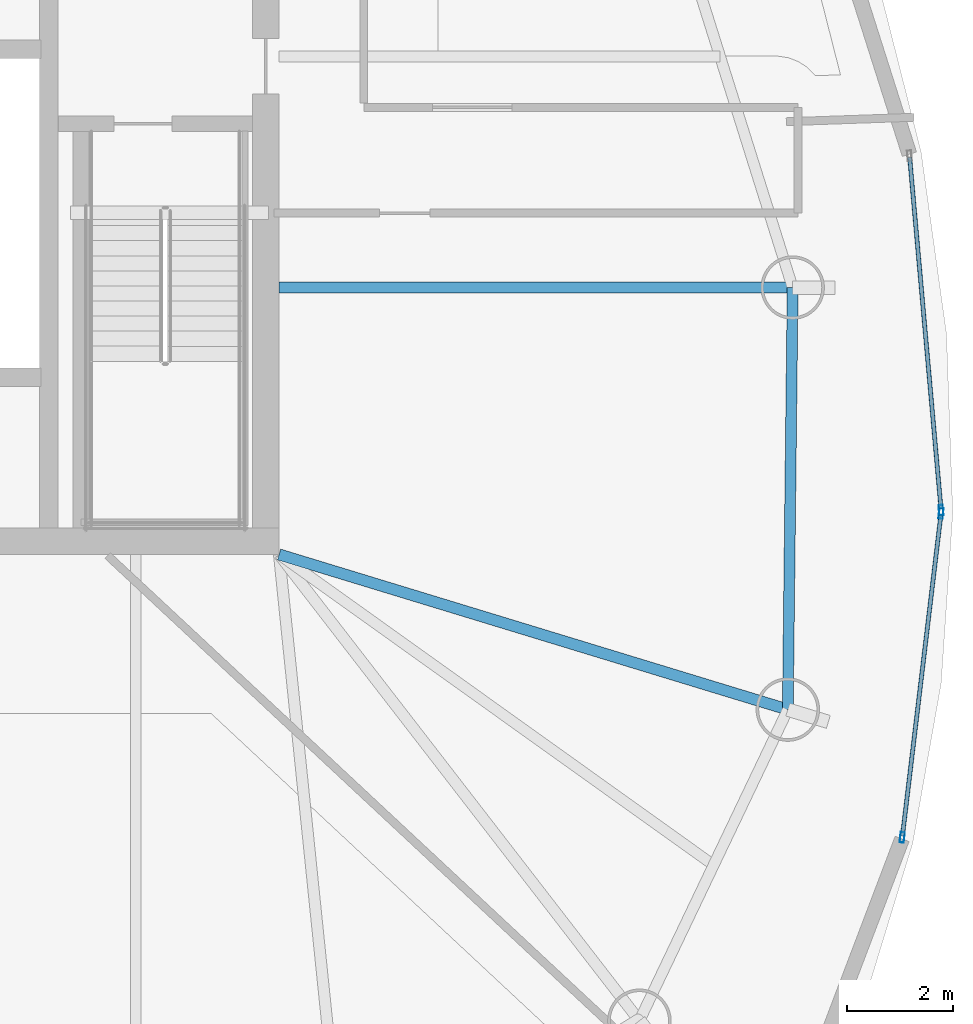
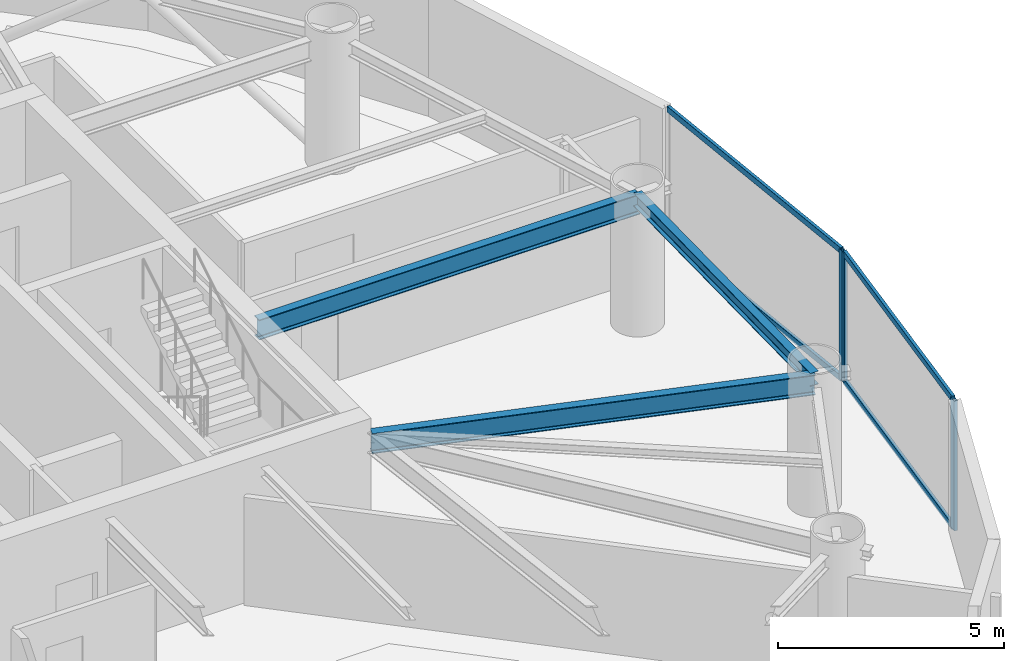
# One storey, part 6 of 18: 7 members, 3 beams, 2 elements without a shape of their own.
"""IFC4 building model written with IfcOpenShell, lengths in metres."""

import ifcopenshell
import ifcopenshell.guid

model = None  # the IFC model being written
_history = None  # IfcOwnerHistory: only IFC2X3 demands one
_inside = {}  # id of a spatial element -> (the spatial element, [elements in it])
_under = {}  # id of a project, library or spatial element -> (it, [spatial elements below it])
_declared = {}  # id of a project -> (the project, [libraries it declares])
_typed = {}  # id of a type object -> (the type object, [elements of that type])
_made_of = {}  # id of a material, layer set ... -> (it, [elements and type objects made of it])


def new_model(schema):
    """Start an empty IFC model of exactly this schema.

    Asked for "IFC4X3", IfcOpenShell would pick the latest addendum, in which some entities
    have other attributes; the version numbers below select the first issue.
    IFC2X3 requires an IfcOwnerHistory on every rooted entity: one is made here for all.
    """
    global model, _history
    if schema == "IFC4X3":
        model = ifcopenshell.file(schema_version=(4, 3, 0, 0))
    else:
        model = ifcopenshell.file(schema=schema)
    _inside.clear()
    _under.clear()
    _declared.clear()
    _typed.clear()
    _made_of.clear()
    _history = None
    if model.schema == "IFC2X3":
        org = make("IfcOrganization", Name="unknown")
        user = make(
            "IfcPersonAndOrganization",
            ThePerson=make("IfcPerson", FamilyName="unknown"),
            TheOrganization=org,
        )
        app = make(
            "IfcApplication",
            ApplicationDeveloper=org,
            Version="unknown",
            ApplicationFullName="unknown",
            ApplicationIdentifier="unknown",
        )
        _history = make(
            "IfcOwnerHistory",
            OwningUser=user,
            OwningApplication=app,
            ChangeAction="ADDED",
            CreationDate=0,
        )
    return model


def make(cls, **values):
    """One entity of the class cls with the attributes given. An attribute that is None is left unset."""
    return model.create_entity(
        cls, **{name: value for name, value in values.items() if value is not None}
    )


def rooted(cls, **values):
    """An entity with a GlobalId (a new one), such as an element, a storey or a relation."""
    return make(cls, GlobalId=ifcopenshell.guid.new(), OwnerHistory=_history, **values)


def si_unit(unit_type, name, prefix=None):
    """IfcSIUnit, for example si_unit("LENGTHUNIT", "METRE", prefix="MILLI")."""
    return make("IfcSIUnit", UnitType=unit_type, Prefix=prefix, Name=name)


def assignment(units):
    """IfcUnitAssignment: the units of a project."""
    return None if units is None else make("IfcUnitAssignment", Units=units)


def point(xyz):
    """IfcCartesianPoint."""
    return None if xyz is None else make("IfcCartesianPoint", Coordinates=xyz)


def direction(xyz):
    """IfcDirection."""
    return None if xyz is None else make("IfcDirection", DirectionRatios=xyz)


def frame(location, z_axis=None, x_axis=None):
    """IfcAxis2Placement3D, a coordinate frame: its origin and axes. An axis left out is left unset."""
    return make(
        "IfcAxis2Placement3D",
        Location=point(location),
        Axis=direction(z_axis),
        RefDirection=direction(x_axis),
    )


def frame_2d(location, x_axis=None):
    """IfcAxis2Placement2D, a coordinate frame in the plane: its origin and x axis."""
    return make(
        "IfcAxis2Placement2D", Location=point(location), RefDirection=direction(x_axis)
    )


def origin():
    """The frame at (0, 0, 0) with its axes left unset."""
    return frame((0.0, 0.0, 0.0))


def origin_2d():
    """The frame at (0, 0) in the plane with its x axis left unset."""
    return frame_2d((0.0, 0.0))


def place(relative_to, where):
    """IfcLocalPlacement: puts the frame where relative to a parent placement (None: the world)."""
    return make(
        "IfcLocalPlacement", PlacementRelTo=relative_to, RelativePlacement=where
    )


def context(
    kind, dimensions, precision=None, world=None, true_north=None, identifier=None
):
    """IfcGeometricRepresentationContext, for example the 3D "Model" context."""
    return make(
        "IfcGeometricRepresentationContext",
        ContextIdentifier=identifier,
        ContextType=kind,
        CoordinateSpaceDimension=dimensions,
        Precision=precision,
        WorldCoordinateSystem=world,
        TrueNorth=true_north,
    )


def subcontext(parent, identifier, kind, view, scale=None):
    """IfcGeometricRepresentationSubContext, for example "Body" below "Model"."""
    return make(
        "IfcGeometricRepresentationSubContext",
        ContextIdentifier=identifier,
        ContextType=kind,
        ParentContext=parent,
        TargetScale=scale,
        TargetView=view,
    )


def project(units=None, contexts=None):
    """IfcProject with its units and contexts."""
    return rooted(
        "IfcProject",
        Name="project",
        RepresentationContexts=contexts,
        UnitsInContext=assignment(units),
    )


def spatial(cls, under=None, at=None, **own):
    """A site, building, storey or space (cls), placed at a placement, below another one or the project."""
    s = rooted(cls, ObjectPlacement=at, **own)
    if under is not None:
        _under.setdefault(under.id(), (under, []))[1].append(s)
    return s


def profile(cls, at=None, kind="AREA", **sizes):
    """A parametric profile (cls). Its sizes go by their IFC names, for example OverallWidth=200.0."""
    return make(cls, ProfileType=kind, Position=at, **sizes)


def hollow_rectangle(**sizes):
    """IfcRectangleHollowProfileDef."""
    return profile("IfcRectangleHollowProfileDef", **sizes)


def i_section(**sizes):
    """IfcIShapeProfileDef."""
    return profile("IfcIShapeProfileDef", **sizes)


def extrude(swept, where, along, depth):
    """IfcExtrudedAreaSolid: the profile swept, set in the frame where, extruded along a direction by depth."""
    return make(
        "IfcExtrudedAreaSolid",
        SweptArea=swept,
        Position=where,
        ExtrudedDirection=direction(along),
        Depth=depth,
    )


def shape(context_of_items, identifier, shape_type, items):
    """IfcShapeRepresentation: the items that make up one representation, for example the "Body"."""
    return make(
        "IfcShapeRepresentation",
        ContextOfItems=context_of_items,
        RepresentationIdentifier=identifier,
        RepresentationType=shape_type,
        Items=items,
    )


def material(Name=None, Category=None):
    """IfcMaterial."""
    return make("IfcMaterial", Name=Name, Category=Category)


def layer(
    of_material, thickness, ventilated=None, Name=None, Category=None, Priority=None
):
    """IfcMaterialLayer: one layer of a wall or slab, of a material (None: an air gap)."""
    return make(
        "IfcMaterialLayer",
        Material=of_material,
        LayerThickness=thickness,
        IsVentilated=ventilated,
        Name=Name,
        Category=Category,
        Priority=Priority,
    )


def layer_set(layers, Name=None):
    """IfcMaterialLayerSet."""
    return make("IfcMaterialLayerSet", MaterialLayers=layers, LayerSetName=Name)


def material_profile(
    of_material, cross_section, Name=None, Category=None, Priority=None
):
    """IfcMaterialProfile: a cross section and its material."""
    return make(
        "IfcMaterialProfile",
        Name=Name,
        Material=of_material,
        Profile=cross_section,
        Priority=Priority,
        Category=Category,
    )


def profile_set(profiles, Name=None, composite=None):
    """IfcMaterialProfileSet."""
    return make(
        "IfcMaterialProfileSet",
        Name=Name,
        MaterialProfiles=profiles,
        CompositeProfile=composite,
    )


def made_of(thing, what):
    """Note that an element or type object is made of a material, layer set ...; save() writes the relation."""
    if what is not None:
        _made_of.setdefault(what.id(), (what, []))[1].append(thing)
    return thing


def type_object(cls, material=None, **own):
    """A type object (cls), such as IfcWallType, which elements share."""
    return made_of(rooted(cls, **own), material)


def element(
    cls,
    number,
    at=None,
    inside=None,
    cuts=None,
    type_object=None,
    material=None,
    context=None,
    identifier="Body",
    shape_type=None,
    held_by="IfcProductDefinitionShape",
    body=None,
    shapes=None,
    **own,
):
    """One element of the class cls, such as IfcWall. Its Tag is "e" and its number.

    at: its placement. inside: the storey or other place that contains it. cuts: it is an
    opening in that element (IfcRelVoidsElement). A single representation is given by context,
    identifier, shape_type and body (its items); several are given by shapes. held_by: the class
    of the entity that holds the representations. save() writes the other relations.
    """
    e = rooted(cls, Tag="e%d" % number, ObjectPlacement=at, **own)
    if body is not None:
        shapes = [shape(context, identifier, shape_type, body)]
    if shapes is not None:
        e.Representation = make(held_by, Representations=shapes)
    if inside is not None:
        _inside.setdefault(inside.id(), (inside, []))[1].append(e)
    if cuts is not None:
        rooted(
            "IfcRelVoidsElement", RelatingBuildingElement=cuts, RelatedOpeningElement=e
        )
    if type_object is not None:
        _typed.setdefault(type_object.id(), (type_object, []))[1].append(e)
    return made_of(e, material)


def aggregate(whole, parts):
    """IfcRelAggregates: a whole, such as a stair, and the parts it consists of."""
    return rooted("IfcRelAggregates", RelatingObject=whole, RelatedObjects=parts)


def save(model, path):
    """Write the relations noted so far, then the file.

    IfcRelAggregates (storeys below a building ...), IfcRelContainedInSpatialStructure (elements
    in a storey), IfcRelDefinesByType, IfcRelAssociatesMaterial and IfcRelDeclares: one each for
    every whole, place, type object, material and project.
    """
    for whole, parts in _under.values():
        aggregate(whole, parts)
    for where, things in _inside.values():
        rooted(
            "IfcRelContainedInSpatialStructure",
            RelatedElements=things,
            RelatingStructure=where,
        )
    for kind, things in _typed.values():
        rooted("IfcRelDefinesByType", RelatedObjects=things, RelatingType=kind)
    for what, things in _made_of.values():
        rooted("IfcRelAssociatesMaterial", RelatedObjects=things, RelatingMaterial=what)
    for by, libraries in _declared.values():
        rooted("IfcRelDeclares", RelatingContext=by, RelatedDefinitions=libraries)
    model.write(path)


model = new_model("IFC4")

# Units and contexts
model_context = context("Model", 3, precision=1e-05, world=origin(), true_north=direction((0.0, 1.0)))
body_context = subcontext(model_context, "Body", "Model", "MODEL_VIEW")
ifc_project = project(units=[si_unit("LENGTHUNIT", "METRE"), si_unit("AREAUNIT", "SQUARE_METRE"), si_unit("VOLUMEUNIT", "CUBIC_METRE"), si_unit("PLANEANGLEUNIT", "RADIAN"), si_unit("MASSUNIT", "GRAM", prefix="KILO")], contexts=[model_context])

# Site, building, storey
site_placement = place(None, origin())
site = spatial("IfcSite", under=ifc_project, at=site_placement, CompositionType="ELEMENT")
building_placement = place(site_placement, origin())
building = spatial("IfcBuilding", under=site, at=building_placement, Name="Bramvorn Convention Spire", CompositionType="ELEMENT")
storey_placement = place(building_placement, frame((0.0, 0.0, 232.800048828125)))
storey = spatial("IfcBuildingStorey", under=building, at=storey_placement, Name="L59", CompositionType="ELEMENT", Elevation=232.800048828125)

# Beams
ifc_material_1 = material(Name="Steel CSA G40.21 Grade 350 (350W)", Category="steel")
ifc_material_profile_1 = material_profile(ifc_material_1, i_section(OverallWidth=0.205078125, OverallDepth=0.35400390625, WebThickness=0.009521484375, FlangeThickness=0.016845703125, FilletRadius=0.014892578125, at=origin_2d()))
ifc_profile_set_1 = profile_set([ifc_material_profile_1], Name="Steel CSA G40.21 Grade 350 (350W) - W360X79")
beam_type_1 = type_object("IfcBeamType", Name="BM-W360X79", PredefinedType="JOIST", material=ifc_profile_set_1)
beam_1_placement = place(storey_placement, frame((58.863037109375, 15.619384765625, 3.322998046875), z_axis=(0.011480475367, 0.999934097171, 0.0), x_axis=(-0.999934097171, 0.011480475367, 0.0)))
element("IfcBeam", 1, at=beam_1_placement, inside=storey, type_object=beam_type_1, Name="L59 mega-column ring beam 02", PredefinedType="JOIST", context=body_context, shape_type="SweptSolid", body=[
    extrude(i_section(OverallWidth=0.205078125, OverallDepth=0.35400390625, WebThickness=0.009521484375, FlangeThickness=0.016845703125, FilletRadius=0.014892578125, at=origin_2d()), origin(), (0.0, 0.0, 1.0), 7.974609375),
])
ifc_material_profile_2 = material_profile(ifc_material_1, i_section(OverallWidth=0.2119140625, OverallDepth=0.5439453125, WebThickness=0.01318359375, FlangeThickness=0.021240234375, FilletRadius=0.01904296875, at=origin_2d()))
ifc_profile_set_2 = profile_set([ifc_material_profile_2], Name="Steel CSA G40.21 Grade 350 (350W) - W530X123")
beam_type_2 = type_object("IfcBeamType", Name="BM-W530X123", PredefinedType="BEAM", material=ifc_profile_set_2)
beam_2_placement = place(storey_placement, frame((49.25, 18.550048828125, 3.22802734375), z_axis=(0.95653637984, -0.291613021044, 0.0), x_axis=(0.291613021044, 0.95653637984, 0.0)))
element("IfcBeam", 2, at=beam_2_placement, inside=storey, type_object=beam_type_2, Name="L59 radial floor girder MC02", PredefinedType="BEAM", context=body_context, shape_type="SweptSolid", body=[
    extrude(i_section(OverallWidth=0.2119140625, OverallDepth=0.5439453125, WebThickness=0.01318359375, FlangeThickness=0.021240234375, FilletRadius=0.01904296875, at=origin_2d()), origin(), (0.0, 0.0, 1.0), 10.0498046875),
])
beam_3_placement = place(storey_placement, frame((49.25, 23.593505859375, 3.22802734375), z_axis=(1.0, 0.0, 0.0), x_axis=(0.0, 1.0, 0.0)))
element("IfcBeam", 3, at=beam_3_placement, inside=storey, type_object=beam_type_2, Name="L59 radial floor girder MC03", PredefinedType="BEAM", context=body_context, shape_type="SweptSolid", body=[
    extrude(i_section(OverallWidth=0.2119140625, OverallDepth=0.5439453125, WebThickness=0.01318359375, FlangeThickness=0.021240234375, FilletRadius=0.01904296875, at=origin_2d()), origin(), (0.0, 0.0, 1.0), 9.70458984375),
])

# Curtain wall, members
ifc_material_2 = material(Name="Anodised Bronze Unitised Curtain Wall", Category="aluminium")
ifc_layer = layer(ifc_material_2, 0.179931640625)
ifc_layer_set = layer_set([ifc_layer], Name="Anodised Bronze Unitised Curtain Wall - CW-OFF-FRIT")
curtain_wall_type = type_object("IfcCurtainWallType", Name="CW-OFF-FRIT", PredefinedType="USERDEFINED", material=ifc_layer_set)
curtain_wall_1_placement = place(storey_placement, origin())
curtain_wall_1 = element("IfcCurtainWall", 4, at=curtain_wall_1_placement, inside=storey, type_object=curtain_wall_type, Name="L59 fritted glass curtain wall 03", ObjectType="UNITISED CURTAIN WALL", PredefinedType="USERDEFINED")
ifc_material_3 = material(Name="Anodised Bronze Aluminium 6063-T6", Category="aluminium")
ifc_material_profile_3 = material_profile(ifc_material_3, hollow_rectangle(XDim=0.080078125, YDim=0.199951171875, WallThickness=0.00390625, InnerFilletRadius=0.0009765625, OuterFilletRadius=0.00390625, at=origin_2d()))
ifc_profile_set_3 = profile_set([ifc_material_profile_3], Name="Anodised Bronze Aluminium 6063-T6 - CWM80X200")
member_type_1 = type_object("IfcMemberType", Name="CW-MUL-180", PredefinedType="MULLION", material=ifc_profile_set_3)
member_1_placement = place(storey_placement, frame((61.759033203125, 19.3271484375, 0.0), z_axis=(0.0, 0.0, 1.0), x_axis=(0.992906522495, -0.118897592856, 0.0)))
member_1 = element("IfcMember", 5, at=member_1_placement, type_object=member_type_1, Name="CW3 mullion 1", PredefinedType="MULLION", context=body_context, shape_type="SweptSolid", body=[
    extrude(hollow_rectangle(XDim=0.080078125, YDim=0.199951171875, WallThickness=0.00390625, InnerFilletRadius=0.0009765625, OuterFilletRadius=0.00390625, at=origin_2d()), origin(), (0.0, 0.0, 1.0), 3.5),
])
member_2_placement = place(storey_placement, frame((61.02587890625, 13.20458984375, 0.0), z_axis=(0.0, 0.0, 1.0), x_axis=(0.992906522495, -0.118897592856, 0.0)))
member_2 = element("IfcMember", 6, at=member_2_placement, type_object=member_type_1, Name="CW3 mullion 2", PredefinedType="MULLION", context=body_context, shape_type="SweptSolid", body=[
    extrude(hollow_rectangle(XDim=0.080078125, YDim=0.199951171875, WallThickness=0.00390625, InnerFilletRadius=0.0009765625, OuterFilletRadius=0.00390625, at=origin_2d()), origin(), (0.0, 0.0, 1.0), 3.5),
])

# Curtain wall, member
curtain_wall_2_placement = place(storey_placement, origin())
curtain_wall_2 = element("IfcCurtainWall", 7, at=curtain_wall_2_placement, inside=storey, type_object=curtain_wall_type, Name="L59 fritted glass curtain wall 04", ObjectType="UNITISED CURTAIN WALL", PredefinedType="USERDEFINED")
member_3_placement = place(storey_placement, frame((61.760009765625, 19.38671875, 0.0), z_axis=(0.0, 0.0, 1.0), x_axis=(0.996046396862, 0.08883453888, 0.0)))
member_3 = element("IfcMember", 8, at=member_3_placement, type_object=member_type_1, Name="CW3 mullion 2", PredefinedType="MULLION", context=body_context, shape_type="SweptSolid", body=[
    extrude(hollow_rectangle(XDim=0.080078125, YDim=0.199951171875, WallThickness=0.00390625, InnerFilletRadius=0.0009765625, OuterFilletRadius=0.00390625, at=origin_2d()), origin(), (0.0, 0.0, 1.0), 3.5),
])

# Member
ifc_material_profile_4 = material_profile(ifc_material_3, hollow_rectangle(XDim=0.080078125, YDim=0.159912109375, WallThickness=0.00390625, InnerFilletRadius=0.0009765625, OuterFilletRadius=0.00390625, at=origin_2d()))
ifc_profile_set_4 = profile_set([ifc_material_profile_4], Name="Anodised Bronze Aluminium 6063-T6 - CWT80X160")
member_type_2 = type_object("IfcMemberType", Name="CW-TRN-150", PredefinedType="USERDEFINED", material=ifc_profile_set_4)
member_4_placement = place(storey_placement, frame((61.75537109375, 19.29736328125, 0.030029296875), z_axis=(-0.118866162492, -0.992910285683, 0.0), x_axis=(0.992910285683, -0.118866162492, 0.0)))
member_4 = element("IfcMember", 9, at=member_4_placement, type_object=member_type_2, Name="CW3 transom 1.1", ObjectType="TRANSOM", PredefinedType="USERDEFINED", context=body_context, shape_type="SweptSolid", body=[
    extrude(hollow_rectangle(XDim=0.080078125, YDim=0.159912109375, WallThickness=0.00390625, InnerFilletRadius=0.0009765625, OuterFilletRadius=0.00390625, at=origin_2d()), origin(), (0.0, 0.0, 1.0), 6.106201171875),
])

member_5_placement = place(storey_placement, frame((61.75537109375, 19.29736328125, 3.469970703125), z_axis=(-0.118866162492, -0.992910285683, 0.0), x_axis=(0.992910285683, -0.118866162492, 0.0)))
member_5 = element("IfcMember", 10, at=member_5_placement, type_object=member_type_2, Name="CW3 transom 1.2", ObjectType="TRANSOM", PredefinedType="USERDEFINED", context=body_context, shape_type="SweptSolid", body=[
    extrude(hollow_rectangle(XDim=0.080078125, YDim=0.159912109375, WallThickness=0.00390625, InnerFilletRadius=0.0009765625, OuterFilletRadius=0.00390625, at=origin_2d()), origin(), (0.0, 0.0, 1.0), 6.106201171875),
])

aggregate(curtain_wall_1, [member_1, member_2, member_4, member_5])

member_6_placement = place(storey_placement, frame((61.165283203125, 26.054931640625, 0.030029296875), z_axis=(0.088834589972, -0.996046392305, 0.0), x_axis=(0.996046392305, 0.088834589972, 0.0)))
member_6 = element("IfcMember", 11, at=member_6_placement, type_object=member_type_2, Name="CW3 transom 1.1", ObjectType="TRANSOM", PredefinedType="USERDEFINED", context=body_context, shape_type="SweptSolid", body=[
    extrude(hollow_rectangle(XDim=0.080078125, YDim=0.159912109375, WallThickness=0.00390625, InnerFilletRadius=0.0009765625, OuterFilletRadius=0.00390625, at=origin_2d()), origin(), (0.0, 0.0, 1.0), 6.66455078125),
])

member_7_placement = place(storey_placement, frame((61.165283203125, 26.054931640625, 3.469970703125), z_axis=(0.088834589972, -0.996046392305, 0.0), x_axis=(0.996046392305, 0.088834589972, 0.0)))
member_7 = element("IfcMember", 12, at=member_7_placement, type_object=member_type_2, Name="CW3 transom 1.2", ObjectType="TRANSOM", PredefinedType="USERDEFINED", context=body_context, shape_type="SweptSolid", body=[
    extrude(hollow_rectangle(XDim=0.080078125, YDim=0.159912109375, WallThickness=0.00390625, InnerFilletRadius=0.0009765625, OuterFilletRadius=0.00390625, at=origin_2d()), origin(), (0.0, 0.0, 1.0), 6.66455078125),
])

aggregate(curtain_wall_2, [member_3, member_6, member_7])

save(model, "model.ifc")
